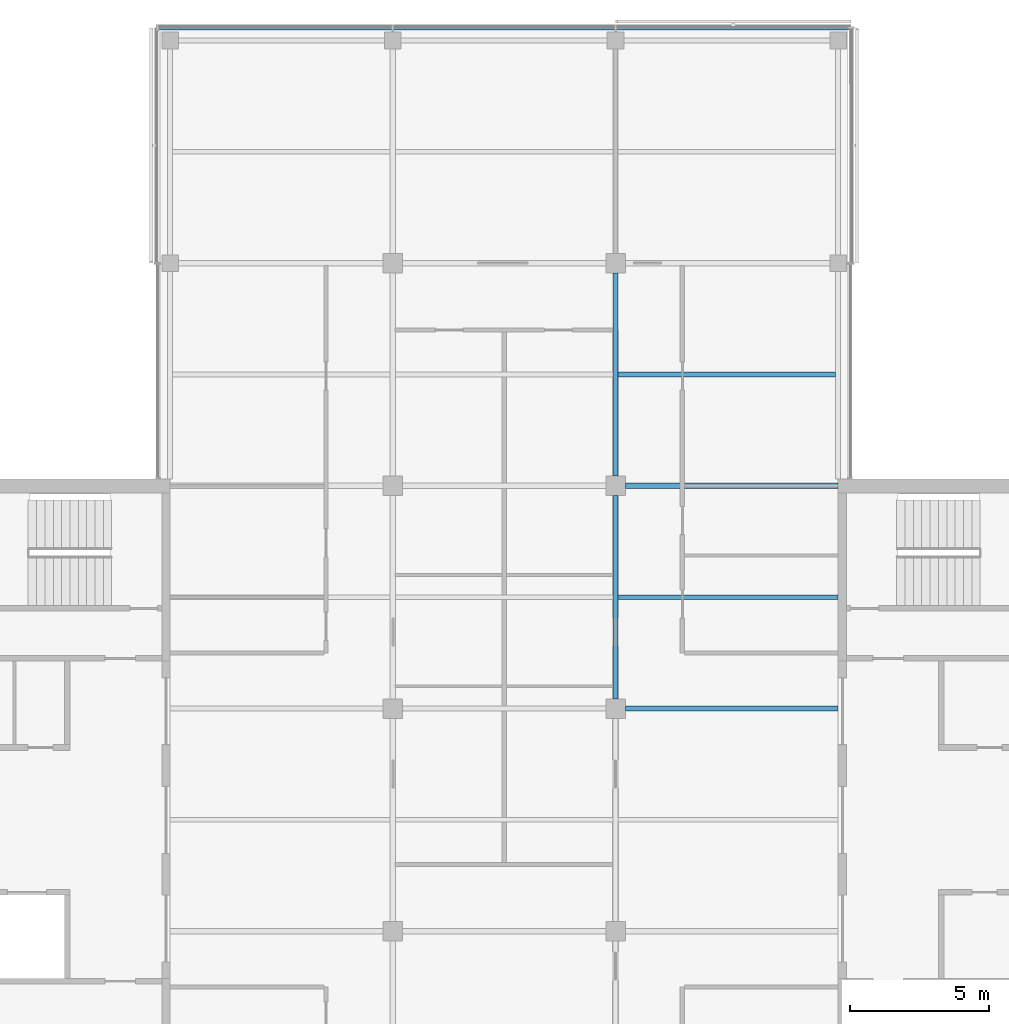
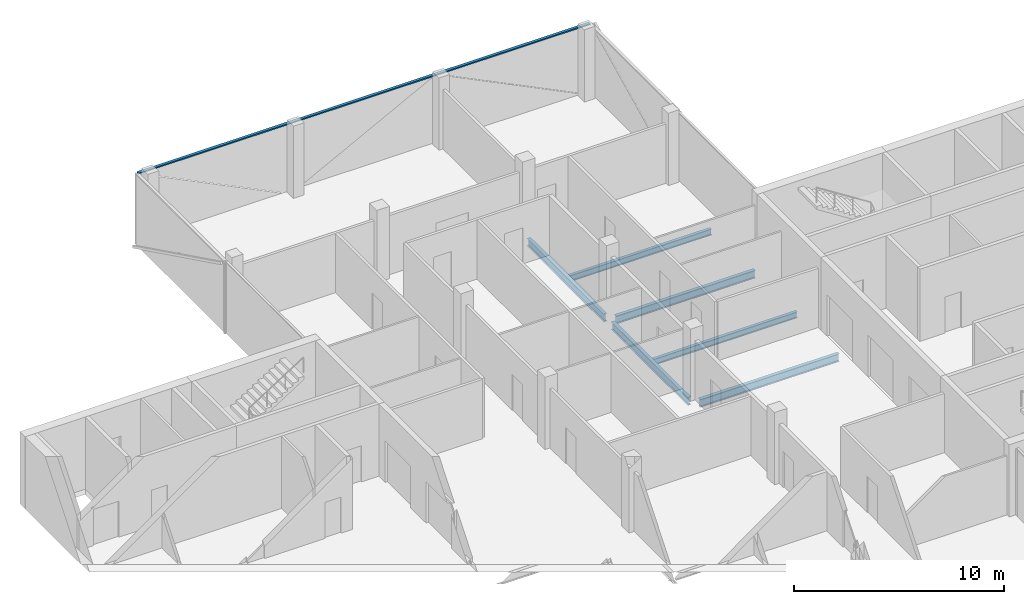
# One storey, part 6 of 16: 6 beams, 1 member, 1 element without a shape of its own.
"""IFC4 building model written with IfcOpenShell, lengths in metres."""

from ifc_helpers import new_model, si_unit, direction, frame, origin, origin_2d, place, context, subcontext, project, spatial, rectangle, i_section, extrude, material, material_profile, profile_set, type_object, element, aggregate, save


model = new_model("IFC4")

# Units and contexts
model_context = context("Model", 3, precision=1e-05, world=origin(), true_north=direction((0.0, 1.0)))
body_context = subcontext(model_context, "Body", "Model", "MODEL_VIEW")
ifc_project = project(units=[si_unit("LENGTHUNIT", "METRE"), si_unit("AREAUNIT", "SQUARE_METRE"), si_unit("VOLUMEUNIT", "CUBIC_METRE"), si_unit("PLANEANGLEUNIT", "RADIAN"), si_unit("MASSUNIT", "GRAM", prefix="KILO")], contexts=[model_context])

# Site, building, storey
site_placement = place(None, origin())
site = spatial("IfcSite", under=ifc_project, at=site_placement, CompositionType="ELEMENT")
building_placement = place(site_placement, origin())
building = spatial("IfcBuilding", under=site, at=building_placement, Name="Crosswind Convention Tower", CompositionType="ELEMENT")
storey_placement = place(building_placement, frame((0.0, 0.0, 274.5)))
storey = spatial("IfcBuildingStorey", under=building, at=storey_placement, Name="L59", CompositionType="ELEMENT", Elevation=274.5)

# Beams
ifc_material_1 = material(Name="Steel S355", Category="steel")
ifc_material_profile_1 = material_profile(ifc_material_1, i_section(OverallWidth=0.18994140625, OverallDepth=0.45361328125, WebThickness=0.008544921875, FlangeThickness=0.0126953125, FilletRadius=0.01025390625, at=origin_2d()), Name="UB 457x191x67")
ifc_profile_set_1 = profile_set([ifc_material_profile_1], Name="Steel S355")
beam_type_1 = type_object("IfcBeamType", Name="Girder UB 457x191x67", PredefinedType="BEAM", material=ifc_profile_set_1)
for number, where, z_axis, x_axis, name in (
    (1, (129.0, 104.35009765625, -0.52685546875), (0.0, 1.0, 0.0), (-1.0, 0.0, 0.0), "B1 L59 girder 20"),
    (2, (129.0, 112.35009765625, -0.52685546875), (0.0, 1.0, 0.0), (-1.0, 0.0, 0.0), "B1 L59 girder 21"),
):
    element("IfcBeam", number, at=place(storey_placement, frame(where, z_axis=z_axis, x_axis=x_axis)), inside=storey, type_object=beam_type_1, Name=name, PredefinedType="BEAM", context=body_context, shape_type="SweptSolid", body=[
        extrude(i_section(OverallWidth=0.18994140625, OverallDepth=0.45361328125, WebThickness=0.008544921875, FlangeThickness=0.0126953125, FilletRadius=0.01025390625, at=origin_2d()), origin(), (0.0, 0.0, 1.0), 7.2998046875),
    ])
ifc_material_profile_2 = material_profile(ifc_material_1, i_section(OverallWidth=0.1904296875, OverallDepth=0.457275390625, WebThickness=0.009033203125, FlangeThickness=0.014404296875, FilletRadius=0.01025390625, at=origin_2d()), Name="UB 457x191x75")
ifc_profile_set_2 = profile_set([ifc_material_profile_2], Name="Steel S355")
beam_type_2 = type_object("IfcBeamType", Name="Girder at core wall UB 457x191x75", PredefinedType="BEAM", material=ifc_profile_set_2)
for number, where, z_axis, x_axis, name in (
    (3, (129.35009765625, 104.0, -0.528564453125), (1.0, 0.0, 0.0), (0.0, 1.0, 0.0), "B22 L59 girder at core wall 7"),
    (4, (129.35009765625, 112.0, -0.528564453125), (1.0, 0.0, 0.0), (0.0, 1.0, 0.0), "B22 L59 girder at core wall 8"),
):
    element("IfcBeam", number, at=place(storey_placement, frame(where, z_axis=z_axis, x_axis=x_axis)), inside=storey, type_object=beam_type_2, Name=name, PredefinedType="BEAM", context=body_context, shape_type="SweptSolid", body=[
        extrude(i_section(OverallWidth=0.1904296875, OverallDepth=0.457275390625, WebThickness=0.009033203125, FlangeThickness=0.014404296875, FilletRadius=0.01025390625, at=origin_2d()), origin(), (0.0, 0.0, 1.0), 7.64990234375),
    ])
ifc_material_profile_3 = material_profile(ifc_material_1, i_section(OverallWidth=0.17138671875, OverallDepth=0.355712890625, WebThickness=0.00732421875, FlangeThickness=0.011474609375, FilletRadius=0.01025390625, at=origin_2d()), Name="UB 356x171x51")
ifc_profile_set_3 = profile_set([ifc_material_profile_3], Name="Steel S355")
beam_type_3 = type_object("IfcBeamType", Name="Secondary beam UB 356x171x51", PredefinedType="JOIST", material=ifc_profile_set_3)
beam_1_placement = place(storey_placement, frame((129.094970703125, 108.0, -0.477783203125), z_axis=(1.0, 0.0, 0.0), x_axis=(0.0, 1.0, 0.0)))
element("IfcBeam", 5, at=beam_1_placement, inside=storey, type_object=beam_type_3, Name="B8 L59 secondary beam 19", PredefinedType="JOIST", context=body_context, shape_type="SweptSolid", body=[
    extrude(i_section(OverallWidth=0.17138671875, OverallDepth=0.355712890625, WebThickness=0.00732421875, FlangeThickness=0.011474609375, FilletRadius=0.01025390625, at=origin_2d()), origin(), (0.0, 0.0, 1.0), 7.905029296875),
])
beam_2_placement = place(storey_placement, frame((129.094970703125, 116.0, -0.477783203125), z_axis=(1.0, 0.0, 0.0), x_axis=(0.0, 1.0, 0.0)))
element("IfcBeam", 6, at=beam_2_placement, inside=storey, type_object=beam_type_3, Name="B8 L59 secondary beam 20", PredefinedType="JOIST", context=body_context, shape_type="SweptSolid", body=[
    extrude(i_section(OverallWidth=0.17138671875, OverallDepth=0.355712890625, WebThickness=0.00732421875, FlangeThickness=0.011474609375, FilletRadius=0.01025390625, at=origin_2d()), origin(), (0.0, 0.0, 1.0), 7.816162109375),
])

# Curtain wall, member
ifc_material_2 = material(Name="Aluminium unitised curtain wall", Category="aluminium")
curtain_wall_type = type_object("IfcCurtainWallType", Name="OFFICE UNITISED WALL 220", PredefinedType="USERDEFINED", material=ifc_material_2)
curtain_wall_placement = place(storey_placement, origin())
curtain_wall = element("IfcCurtainWall", 7, at=curtain_wall_placement, inside=storey, type_object=curtain_wall_type, Name="CW3 L59 N-TIP 1", ObjectType="UNITISED", PredefinedType="USERDEFINED")
ifc_material_3 = material(Name="Aluminium transom", Category="aluminium")
ifc_material_profile_4 = material_profile(ifc_material_3, rectangle(XDim=0.159912109375, YDim=0.070068359375, at=origin_2d()), Name="AL 160X70")
ifc_profile_set_4 = profile_set([ifc_material_profile_4], Name="Aluminium transom")
member_type = type_object("IfcMemberType", Name="TRANSOM 70X160", PredefinedType="USERDEFINED", material=ifc_profile_set_4)
member_placement = place(storey_placement, frame((137.425048828125, 128.4599609375, 3.864990234375), z_axis=(-1.0, 0.0, 0.0), x_axis=(0.0, -1.0, 0.0)))
member = element("IfcMember", 8, at=member_placement, type_object=member_type, Name="CW3 transom", ObjectType="TRANSOM", PredefinedType="USERDEFINED", context=body_context, shape_type="SweptSolid", body=[
    extrude(rectangle(XDim=0.159912109375, YDim=0.070068359375, at=origin_2d()), origin(), (0.0, 0.0, 1.0), 24.85009765625),
])
aggregate(curtain_wall, [member])

save(model, "model.ifc")
